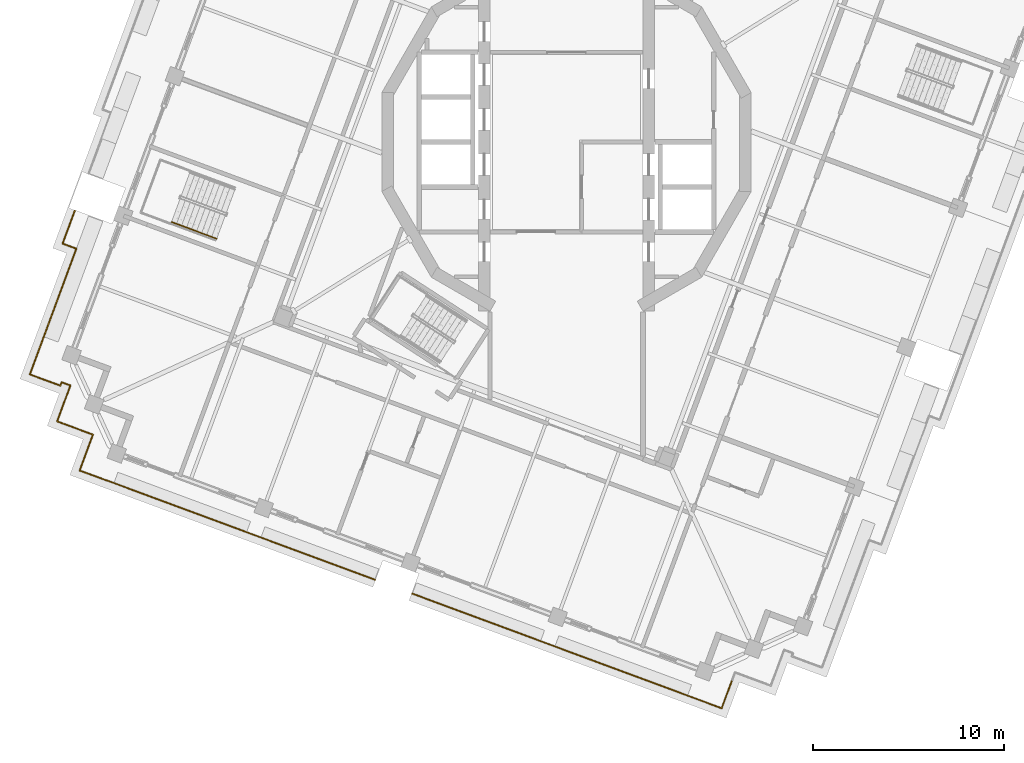
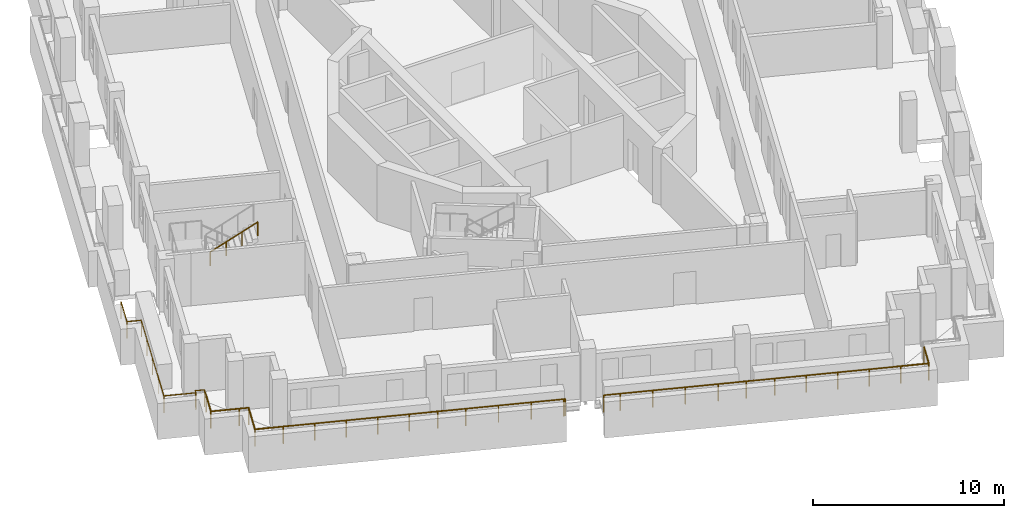
# One storey, part 11 of 18: 4 railings.
"""IFC4 building model written with IfcOpenShell, lengths in metres."""

from ifc_helpers import new_model, si_unit, direction, frame, origin, origin_2d, place, context, subcontext, project, spatial, circle, extrude, material, type_object, element, save


model = new_model("IFC4")

# Units and contexts
model_context = context("Model", 3, precision=1e-05, world=origin(), true_north=direction((0.0, 1.0)))
body_context = subcontext(model_context, "Body", "Model", "MODEL_VIEW")
ifc_project = project(units=[si_unit("LENGTHUNIT", "METRE"), si_unit("AREAUNIT", "SQUARE_METRE"), si_unit("VOLUMEUNIT", "CUBIC_METRE"), si_unit("PLANEANGLEUNIT", "RADIAN"), si_unit("MASSUNIT", "GRAM", prefix="KILO")], contexts=[model_context])

# Site, building, storey
site_placement = place(None, origin())
site = spatial("IfcSite", under=ifc_project, at=site_placement, CompositionType="ELEMENT")
building_placement = place(site_placement, origin())
building = spatial("IfcBuilding", under=site, at=building_placement, Name="Cantera Rosa Tower", CompositionType="ELEMENT")
storey_placement = place(building_placement, frame((0.0, 0.0, 338.5)))
storey = spatial("IfcBuildingStorey", under=building, at=storey_placement, Name="L76", CompositionType="ELEMENT", Elevation=338.5)

# Railings
ifc_material_1 = material(Name="Stainless steel and laminated glass", Category="steel")
railing_type_1 = type_object("IfcRailingType", Name="GUARD 1100", PredefinedType="BALUSTRADE", material=ifc_material_1)
railing_1_placement = place(storey_placement, frame((-26.120849609375, -13.19580078125, 0.0)))
element("IfcRailing", 1, at=railing_1_placement, inside=storey, type_object=railing_type_1, Name="GUARD L76-1", PredefinedType="BALUSTRADE", context=body_context, shape_type="SweptSolid", body=[
    extrude(circle(Radius=0.030029296875, at=origin_2d()), frame((0.0, 0.0, 1.070068359375), z_axis=(0.347314355824, 0.937748760724, 0.0), x_axis=(-0.937748760724, 0.347314355824, 0.0)), (0.0, 0.0, 1.0), 0.491943359375),
    extrude(circle(Radius=0.030029296875, at=origin_2d()), frame((0.1708984375, 0.46142578125, 1.070068359375), z_axis=(-0.93758708988, 0.347750555558, 0.0), x_axis=(-0.347750555558, -0.93758708988, 0.0)), (0.0, 0.0, 1.0), 0.4921875),
    extrude(circle(Radius=0.030029296875, at=origin_2d()), frame((-0.29052734375, 0.632568359375, 1.070068359375), z_axis=(-0.346941811727, -0.937886655879, 0.0), x_axis=(0.937886655879, -0.346941811727, 0.0)), (0.0, 0.0, 1.0), 0.192138671875),
    extrude(circle(Radius=0.030029296875, at=origin_2d()), frame((-0.357177734375, 0.452392578125, 1.070068359375), z_axis=(-0.937708907639, 0.347421940202, 0.0), x_axis=(-0.347421940202, -0.937708907639, 0.0)), (0.0, 0.0, 1.0), 1.699951171875),
    extrude(circle(Radius=0.030029296875, at=origin_2d()), frame((-1.951171875, 1.04296875, 1.070068359375), z_axis=(0.34747652556, 0.937688681912, 0.0), x_axis=(-0.937688681912, 0.34747652556, 0.0)), (0.0, 0.0, 1.0), 7.01123046875),
    extrude(circle(Radius=0.030029296875, at=origin_2d()), frame((0.485107421875, 7.617431640625, 1.070068359375), z_axis=(-0.937718113154, 0.347397093055, 0.0), x_axis=(-0.347397093055, -0.937718113154, 0.0)), (0.0, 0.0, 1.0), 0.768798828125),
    extrude(circle(Radius=0.030029296875, at=origin_2d()), frame((-0.23583984375, 7.884521484375, 1.070068359375), z_axis=(0.347483006941, 0.9376862801, 0.0), x_axis=(-0.9376862801, 0.347483006941, 0.0)), (0.0, 0.0, 1.0), 1.838623046875),
    extrude(circle(Radius=0.02490234375, at=origin_2d()), origin(), (0.0, 0.0, 1.0), 1.0400390625),
    extrude(circle(Radius=0.02490234375, at=origin_2d()), frame((0.1708984375, 0.46142578125, 0.0)), (0.0, 0.0, 1.0), 1.0400390625),
    extrude(circle(Radius=0.02490234375, at=origin_2d()), frame((-0.29052734375, 0.632568359375, 0.0)), (0.0, 0.0, 1.0), 1.0400390625),
    extrude(circle(Radius=0.02490234375, at=origin_2d()), frame((-0.357177734375, 0.452392578125, 0.0)), (0.0, 0.0, 1.0), 1.0400390625),
    extrude(circle(Radius=0.02490234375, at=origin_2d()), frame((-1.951171875, 1.04296875, 0.0)), (0.0, 0.0, 1.0), 1.0400390625),
    extrude(circle(Radius=0.02490234375, at=origin_2d()), frame((-1.342041015625, 2.6865234375, 0.0)), (0.0, 0.0, 1.0), 1.0400390625),
    extrude(circle(Radius=0.02490234375, at=origin_2d()), frame((-0.73291015625, 4.330078125, 0.0)), (0.0, 0.0, 1.0), 1.0400390625),
    extrude(circle(Radius=0.02490234375, at=origin_2d()), frame((-0.1240234375, 5.973876953125, 0.0)), (0.0, 0.0, 1.0), 1.0400390625),
    extrude(circle(Radius=0.02490234375, at=origin_2d()), frame((0.485107421875, 7.617431640625, 0.0)), (0.0, 0.0, 1.0), 1.0400390625),
    extrude(circle(Radius=0.02490234375, at=origin_2d()), frame((-0.23583984375, 7.884521484375, 0.0)), (0.0, 0.0, 1.0), 1.0400390625),
    extrude(circle(Radius=0.02490234375, at=origin_2d()), frame((0.403076171875, 9.608642578125, 0.0)), (0.0, 0.0, 1.0), 1.0400390625),
])
railing_2_placement = place(storey_placement, frame((-10.010498046875, -22.8984375, 0.0)))
element("IfcRailing", 2, at=railing_2_placement, inside=storey, type_object=railing_type_1, Name="GUARD L76-2", PredefinedType="BALUSTRADE", context=body_context, shape_type="SweptSolid", body=[
    extrude(circle(Radius=0.030029296875, at=origin_2d()), frame((0.0, 0.0, 1.070068359375), z_axis=(-0.937327749542, 0.348448977525, 0.0), x_axis=(-0.348448977525, -0.937327749542, 0.0)), (0.0, 0.0, 1.0), 0.070068359375),
    extrude(circle(Radius=0.030029296875, at=origin_2d()), frame((-0.065673828125, 0.0244140625, 1.070068359375), z_axis=(-0.937688147358, 0.347477968085, 0.0), x_axis=(-0.347477968085, -0.937688147358, 0.0)), (0.0, 0.0, 1.0), 5.199951171875),
    extrude(circle(Radius=0.030029296875, at=origin_2d()), frame((-4.941650390625, 1.831298828125, 1.070068359375), z_axis=(-0.937680024402, 0.347499887537, 0.0), x_axis=(-0.347499887537, -0.937680024402, 0.0)), (0.0, 0.0, 1.0), 3.0),
    extrude(circle(Radius=0.030029296875, at=origin_2d()), frame((-7.754638671875, 2.873779296875, 1.070068359375), z_axis=(-0.937686328856, 0.347482875373, 0.0), x_axis=(-0.347482875373, -0.937686328856, 0.0)), (0.0, 0.0, 1.0), 6.699951171875),
    extrude(circle(Radius=0.030029296875, at=origin_2d()), frame((-14.037109375, 5.201904296875, 1.070068359375), z_axis=(-0.360994102558, -0.932568098274, 0.0), x_axis=(0.932568098274, -0.360994102558, 0.0)), (0.0, 0.0, 1.0), 0.008056640625),
    extrude(circle(Radius=0.030029296875, at=origin_2d()), frame((-14.0400390625, 5.1943359375, 1.070068359375), z_axis=(-0.93763347607, 0.347625465916, 0.0), x_axis=(-0.347625465916, -0.93763347607, 0.0)), (0.0, 0.0, 1.0), 1.5078125),
    extrude(circle(Radius=0.030029296875, at=origin_2d()), frame((-15.453857421875, 5.718505859375, 1.070068359375), z_axis=(0.347441587487, 0.93770162807, 0.0), x_axis=(-0.93770162807, 0.347441587487, 0.0)), (0.0, 0.0, 1.0), 1.999755859375),
    extrude(circle(Radius=0.030029296875, at=origin_2d()), frame((-14.759033203125, 7.59375, 1.070068359375), z_axis=(-0.937748760724, 0.347314355824, 0.0), x_axis=(-0.347314355824, -0.937748760724, 0.0)), (0.0, 0.0, 1.0), 0.491943359375),
    extrude(circle(Radius=0.030029296875, at=origin_2d()), frame((-15.220458984375, 7.7646484375, 1.070068359375), z_axis=(-0.93763347607, 0.347625465916, 0.0), x_axis=(-0.347625465916, -0.93763347607, 0.0)), (0.0, 0.0, 1.0), 1.5078125),
    extrude(circle(Radius=0.030029296875, at=origin_2d()), frame((-16.63427734375, 8.288818359375, 1.070068359375), z_axis=(0.347483107742, 0.937686242746, 0.0), x_axis=(-0.937686242746, 0.347483107742, 0.0)), (0.0, 0.0, 1.0), 1.5078125),
    extrude(circle(Radius=0.02490234375, at=origin_2d()), origin(), (0.0, 0.0, 1.0), 1.0400390625),
    extrude(circle(Radius=0.02490234375, at=origin_2d()), frame((-0.065673828125, 0.0244140625, 0.0)), (0.0, 0.0, 1.0), 1.0400390625),
    extrude(circle(Radius=0.02490234375, at=origin_2d()), frame((-1.69091796875, 0.626708984375, 0.0)), (0.0, 0.0, 1.0), 1.0400390625),
    extrude(circle(Radius=0.02490234375, at=origin_2d()), frame((-3.31640625, 1.22900390625, 0.0)), (0.0, 0.0, 1.0), 1.0400390625),
    extrude(circle(Radius=0.02490234375, at=origin_2d()), frame((-4.941650390625, 1.831298828125, 0.0)), (0.0, 0.0, 1.0), 1.0400390625),
    extrude(circle(Radius=0.02490234375, at=origin_2d()), frame((-6.34814453125, 2.3525390625, 0.0)), (0.0, 0.0, 1.0), 1.0400390625),
    extrude(circle(Radius=0.02490234375, at=origin_2d()), frame((-7.754638671875, 2.873779296875, 0.0)), (0.0, 0.0, 1.0), 1.0400390625),
    extrude(circle(Radius=0.02490234375, at=origin_2d()), frame((-9.3251953125, 3.455810546875, 0.0)), (0.0, 0.0, 1.0), 1.0400390625),
    extrude(circle(Radius=0.02490234375, at=origin_2d()), frame((-10.89599609375, 4.037841796875, 0.0)), (0.0, 0.0, 1.0), 1.0400390625),
    extrude(circle(Radius=0.02490234375, at=origin_2d()), frame((-12.466552734375, 4.619873046875, 0.0)), (0.0, 0.0, 1.0), 1.0400390625),
    extrude(circle(Radius=0.02490234375, at=origin_2d()), frame((-14.037109375, 5.201904296875, 0.0)), (0.0, 0.0, 1.0), 1.0400390625),
    extrude(circle(Radius=0.02490234375, at=origin_2d()), frame((-14.0400390625, 5.1943359375, 0.0)), (0.0, 0.0, 1.0), 1.0400390625),
    extrude(circle(Radius=0.02490234375, at=origin_2d()), frame((-15.453857421875, 5.718505859375, 0.0)), (0.0, 0.0, 1.0), 1.0400390625),
    extrude(circle(Radius=0.02490234375, at=origin_2d()), frame((-14.759033203125, 7.59375, 0.0)), (0.0, 0.0, 1.0), 1.0400390625),
    extrude(circle(Radius=0.02490234375, at=origin_2d()), frame((-15.220458984375, 7.7646484375, 0.0)), (0.0, 0.0, 1.0), 1.0400390625),
    extrude(circle(Radius=0.02490234375, at=origin_2d()), frame((-16.63427734375, 8.288818359375, 0.0)), (0.0, 0.0, 1.0), 1.0400390625),
    extrude(circle(Radius=0.02490234375, at=origin_2d()), frame((-16.1103515625, 9.70263671875, 0.0)), (0.0, 0.0, 1.0), 1.0400390625),
])
railing_3_placement = place(storey_placement, frame((8.63623046875, -28.208740234375, 0.0)))
element("IfcRailing", 3, at=railing_3_placement, inside=storey, type_object=railing_type_1, Name="GUARD L76-3", PredefinedType="BALUSTRADE", context=body_context, shape_type="SweptSolid", body=[
    extrude(circle(Radius=0.030029296875, at=origin_2d()), frame((0.0, 0.0, 1.070068359375), z_axis=(-0.347499887537, -0.937680024402, 0.0), x_axis=(0.937680024402, -0.347499887537, 0.0)), (0.0, 0.0, 1.0), 1.5),
    extrude(circle(Radius=0.030029296875, at=origin_2d()), frame((-0.521240234375, -1.406494140625, 1.070068359375), z_axis=(-0.937680024402, 0.347499887537, 0.0), x_axis=(-0.347499887537, -0.937680024402, 0.0)), (0.0, 0.0, 1.0), 1.5),
    extrude(circle(Radius=0.030029296875, at=origin_2d()), frame((-1.927734375, -0.88525390625, 1.070068359375), z_axis=(-0.937686328856, 0.347482875373, 0.0), x_axis=(-0.347482875373, -0.937686328856, 0.0)), (0.0, 0.0, 1.0), 6.699951171875),
    extrude(circle(Radius=0.030029296875, at=origin_2d()), frame((-8.210205078125, 1.44287109375, 1.070068359375), z_axis=(-0.93768985062, 0.347473371704, 0.0), x_axis=(-0.347473371704, -0.93768985062, 0.0)), (0.0, 0.0, 1.0), 3.000244140625),
    extrude(circle(Radius=0.030029296875, at=origin_2d()), frame((-11.0234375, 2.4853515625, 1.070068359375), z_axis=(-0.937688147358, 0.347477968085, 0.0), x_axis=(-0.347477968085, -0.937688147358, 0.0)), (0.0, 0.0, 1.0), 5.199951171875),
    extrude(circle(Radius=0.030029296875, at=origin_2d()), frame((-15.8994140625, 4.292236328125, 1.070068359375), z_axis=(-0.937694580373, 0.347460607753, 0.0), x_axis=(-0.347460607753, -0.937694580373, 0.0)), (0.0, 0.0, 1.0), 0.869873046875),
    extrude(circle(Radius=0.02490234375, at=origin_2d()), origin(), (0.0, 0.0, 1.0), 1.0400390625),
    extrude(circle(Radius=0.02490234375, at=origin_2d()), frame((-0.521240234375, -1.406494140625, 0.0)), (0.0, 0.0, 1.0), 1.0400390625),
    extrude(circle(Radius=0.02490234375, at=origin_2d()), frame((-1.927734375, -0.88525390625, 0.0)), (0.0, 0.0, 1.0), 1.0400390625),
    extrude(circle(Radius=0.02490234375, at=origin_2d()), frame((-3.498291015625, -0.30322265625, 0.0)), (0.0, 0.0, 1.0), 1.0400390625),
    extrude(circle(Radius=0.02490234375, at=origin_2d()), frame((-5.06884765625, 0.27880859375, 0.0)), (0.0, 0.0, 1.0), 1.0400390625),
    extrude(circle(Radius=0.02490234375, at=origin_2d()), frame((-6.6396484375, 0.86083984375, 0.0)), (0.0, 0.0, 1.0), 1.0400390625),
    extrude(circle(Radius=0.02490234375, at=origin_2d()), frame((-8.210205078125, 1.44287109375, 0.0)), (0.0, 0.0, 1.0), 1.0400390625),
    extrude(circle(Radius=0.02490234375, at=origin_2d()), frame((-9.61669921875, 1.964111328125, 0.0)), (0.0, 0.0, 1.0), 1.0400390625),
    extrude(circle(Radius=0.02490234375, at=origin_2d()), frame((-11.0234375, 2.4853515625, 0.0)), (0.0, 0.0, 1.0), 1.0400390625),
    extrude(circle(Radius=0.02490234375, at=origin_2d()), frame((-12.648681640625, 3.087646484375, 0.0)), (0.0, 0.0, 1.0), 1.0400390625),
    extrude(circle(Radius=0.02490234375, at=origin_2d()), frame((-14.274169921875, 3.68994140625, 0.0)), (0.0, 0.0, 1.0), 1.0400390625),
    extrude(circle(Radius=0.02490234375, at=origin_2d()), frame((-15.8994140625, 4.292236328125, 0.0)), (0.0, 0.0, 1.0), 1.0400390625),
    extrude(circle(Radius=0.02490234375, at=origin_2d()), frame((-16.715087890625, 4.594482421875, 0.0)), (0.0, 0.0, 1.0), 1.0400390625),
])
ifc_material_2 = material(Name="Steel S355J2 (EN 10025-2)", Category="steel")
railing_type_2 = type_object("IfcRailingType", Name="STAIR HANDRAIL 900", PredefinedType="HANDRAIL", material=ifc_material_2)
railing_4_placement = place(storey_placement, frame((-20.660400390625, -4.181396484375, 1.97998046875)))
element("IfcRailing", 4, at=railing_4_placement, inside=storey, type_object=railing_type_2, Name="L76 ST-63 stair handrail 2", PredefinedType="HANDRAIL", context=body_context, shape_type="SweptSolid", body=[
    extrude(circle(Radius=0.02392578125, at=origin_2d()), frame((0.0, 0.0, 0.8759765625), z_axis=(0.788747577403, -0.292306804437, 0.540771662738), x_axis=(0.347500508527, 0.937679794265, 0.0)), (0.0, 0.0, 1.0), 2.995849609375),
    extrude(circle(Radius=0.02099609375, at=origin_2d()), origin(), (0.0, 0.0, 1.0), 0.851806640625),
    extrude(circle(Radius=0.02099609375, at=origin_2d()), frame((0.78759765625, -0.2919921875, 0.5400390625)), (0.0, 0.0, 1.0), 0.851806640625),
    extrude(circle(Radius=0.02099609375, at=origin_2d()), frame((1.575439453125, -0.583740234375, 1.080078125)), (0.0, 0.0, 1.0), 0.851806640625),
    extrude(circle(Radius=0.02099609375, at=origin_2d()), frame((2.363037109375, -0.875732421875, 1.6201171875)), (0.0, 0.0, 1.0), 0.851806640625),
])

save(model, "model.ifc")
